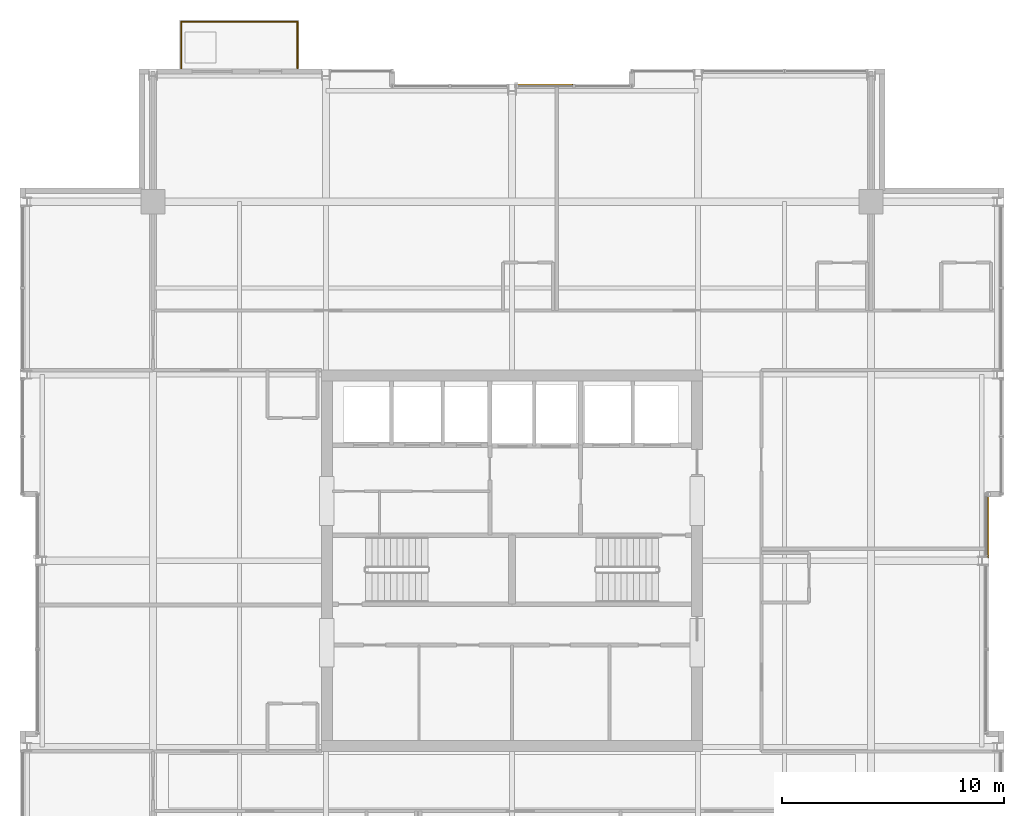
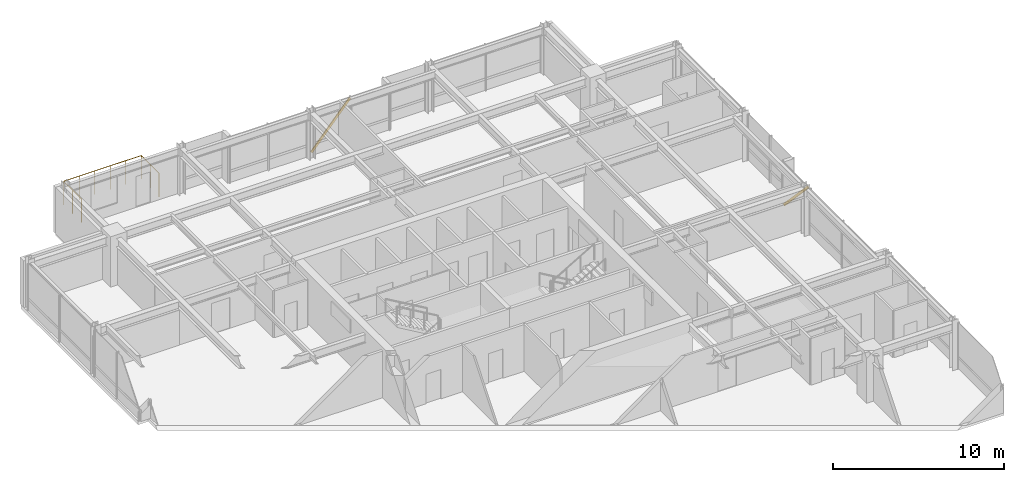
# One storey, part 31 of 31: 2 shading devices, 1 railing.
"""IFC4 building model written with IfcOpenShell, lengths in metres."""

from ifc_helpers import new_model, si_unit, direction, frame, origin, origin_2d, place, context, subcontext, project, spatial, hollow_rectangle, circle, extrude, material, material_profile, profile_set, type_object, element, save


model = new_model("IFC4")

# Units and contexts
model_context = context("Model", 3, precision=1e-05, world=origin(), true_north=direction((0.0, 1.0)))
body_context = subcontext(model_context, "Body", "Model", "MODEL_VIEW")
ifc_project = project(units=[si_unit("LENGTHUNIT", "METRE"), si_unit("AREAUNIT", "SQUARE_METRE"), si_unit("VOLUMEUNIT", "CUBIC_METRE"), si_unit("PLANEANGLEUNIT", "RADIAN"), si_unit("MASSUNIT", "GRAM", prefix="KILO")], contexts=[model_context])

# Site, building, storey
site_placement = place(None, origin())
site = spatial("IfcSite", under=ifc_project, at=site_placement, CompositionType="ELEMENT")
building_placement = place(site_placement, origin())
building = spatial("IfcBuilding", under=site, at=building_placement, Name="Drelvath Grand Hotel", CompositionType="ELEMENT")
storey_placement = place(building_placement, frame((0.0, 0.0, 219.5)))
storey = spatial("IfcBuildingStorey", under=building, at=storey_placement, Name="L57", CompositionType="ELEMENT", Elevation=219.5)

# Shading devices
ifc_material_1 = material(Name="Platinum-Mist Anodised Aluminium", Category="aluminium")
ifc_material_profile = material_profile(ifc_material_1, hollow_rectangle(XDim=0.06494140625, YDim=0.159912109375, WallThickness=0.00390625, at=origin_2d()), Name="HSS160X65X4")
ifc_profile_set = profile_set([ifc_material_profile], Name="Platinum-Mist Anodised Aluminium")
shading_device_type = type_object("IfcShadingDeviceType", Name="Diagonal Solar Fin Platinum Anodised HSS160X65X4", PredefinedType="USERDEFINED", material=ifc_profile_set)
shading_device_1_placement = place(storey_placement, frame((21.47998046875, 30.0, 0.179931640625), z_axis=(0.0, -0.686658509865, 0.726980117218), x_axis=(1.0, 0.0, 0.0)))
element("IfcShadingDevice", 1, at=shading_device_1_placement, inside=storey, type_object=shading_device_type, Name="L57 Diagonal Anodised Fin CW05-L57-EM2", ObjectType="FIN", PredefinedType="USERDEFINED", context=body_context, shape_type="SweptSolid", body=[
    extrude(hollow_rectangle(XDim=0.06494140625, YDim=0.159912109375, WallThickness=0.00390625, at=origin_2d()), origin(), (0.0, 0.0, 1.0), 4.09912109375),
])
shading_device_2_placement = place(storey_placement, frame((0.185302734375, 48.47998046875, 0.179931640625), z_axis=(0.658495877641, 0.0, 0.752584333566), x_axis=(0.0, 1.0, 0.0)))
element("IfcShadingDevice", 2, at=shading_device_2_placement, inside=storey, type_object=shading_device_type, Name="L57 Diagonal Anodised Fin CW05-L57-NM2", ObjectType="FIN", PredefinedType="USERDEFINED", context=body_context, shape_type="SweptSolid", body=[
    extrude(hollow_rectangle(XDim=0.06494140625, YDim=0.159912109375, WallThickness=0.00390625, at=origin_2d()), origin(), (0.0, 0.0, 1.0), 3.959716796875),
])

# Railing
ifc_material_2 = material(Name="Anodised Aluminium and Laminated Glass Balustrade", Category="aluminium")
railing_type = type_object("IfcRailingType", Name="Raised Planter Edge Balustrade 1700", PredefinedType="BALUSTRADE", material=ifc_material_2)
railing_placement = place(storey_placement, frame((-14.919921875, 49.219970703125, 0.0)))
element("IfcRailing", 3, at=railing_placement, inside=storey, type_object=railing_type, Name="L57 Tree Balcony Perimeter Balustrade 1", PredefinedType="BALUSTRADE", context=body_context, shape_type="SweptSolid", body=[
    extrude(circle(Radius=0.02392578125, at=origin_2d()), frame((0.0, 0.0, 1.67578125), z_axis=(0.0, 1.0, 0.0), x_axis=(-1.0, 0.0, 0.0)), (0.0, 0.0, 1.0), 2.10009765625),
    extrude(circle(Radius=0.02392578125, at=origin_2d()), frame((0.0, 2.10009765625, 1.67578125), z_axis=(1.0, 0.0, 0.0), x_axis=(0.0, 1.0, 0.0)), (0.0, 0.0, 1.0), 5.239990234375),
    extrude(circle(Radius=0.02392578125, at=origin_2d()), frame((5.239990234375, 2.10009765625, 1.67578125), z_axis=(0.0, -1.0, 0.0), x_axis=(1.0, 0.0, 0.0)), (0.0, 0.0, 1.0), 2.10009765625),
    extrude(circle(Radius=0.02099609375, at=origin_2d()), origin(), (0.0, 0.0, 1.0), 1.65185546875),
    extrude(circle(Radius=0.02099609375, at=origin_2d()), frame((0.0, 1.050048828125, 0.0)), (0.0, 0.0, 1.0), 1.65185546875),
    extrude(circle(Radius=0.02099609375, at=origin_2d()), frame((0.0, 2.10009765625, 0.0)), (0.0, 0.0, 1.0), 1.65185546875),
    extrude(circle(Radius=0.02099609375, at=origin_2d()), frame((1.048095703125, 2.10009765625, 0.0)), (0.0, 0.0, 1.0), 1.65185546875),
    extrude(circle(Radius=0.02099609375, at=origin_2d()), frame((2.095947265625, 2.10009765625, 0.0)), (0.0, 0.0, 1.0), 1.65185546875),
    extrude(circle(Radius=0.02099609375, at=origin_2d()), frame((3.14404296875, 2.10009765625, 0.0)), (0.0, 0.0, 1.0), 1.65185546875),
    extrude(circle(Radius=0.02099609375, at=origin_2d()), frame((4.19189453125, 2.10009765625, 0.0)), (0.0, 0.0, 1.0), 1.65185546875),
    extrude(circle(Radius=0.02099609375, at=origin_2d()), frame((5.239990234375, 2.10009765625, 0.0)), (0.0, 0.0, 1.0), 1.65185546875),
    extrude(circle(Radius=0.02099609375, at=origin_2d()), frame((5.239990234375, 1.050048828125, 0.0)), (0.0, 0.0, 1.0), 1.65185546875),
    extrude(circle(Radius=0.02099609375, at=origin_2d()), frame((5.239990234375, 0.0, 0.0)), (0.0, 0.0, 1.0), 1.65185546875),
])

save(model, "model.ifc")
